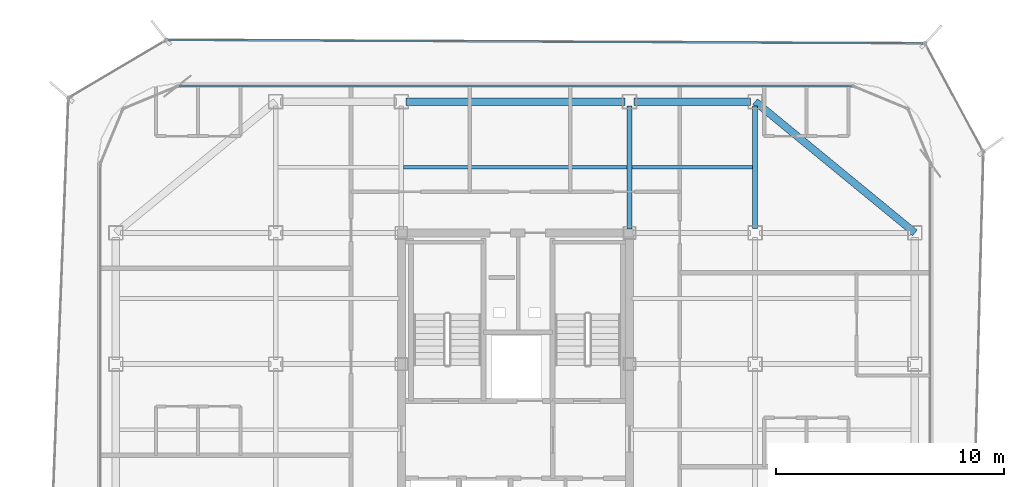
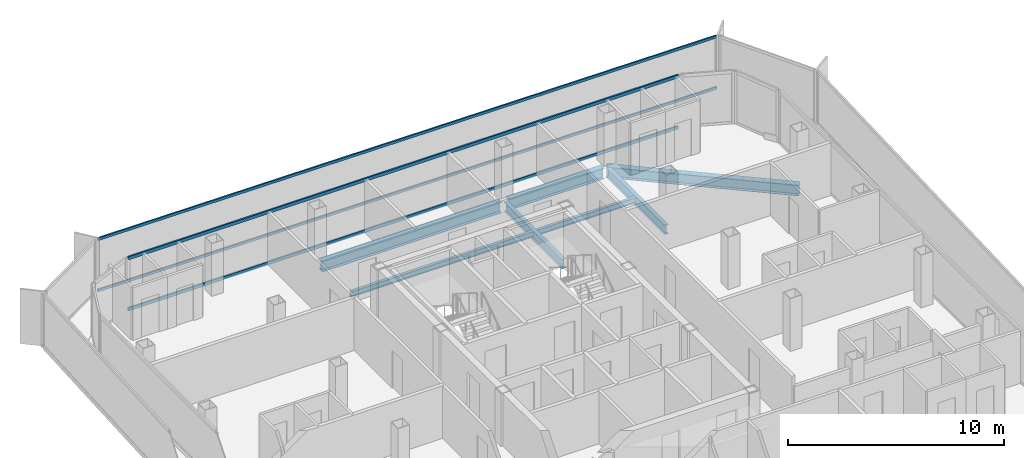
# One storey, part 7 of 16: 7 beams, 4 members, 2 elements without a shape of their own.
"""IFC4 building model written with IfcOpenShell, lengths in metres."""

from ifc_helpers import new_model, si_unit, direction, frame, origin, origin_2d, place, context, subcontext, project, spatial, hollow_rectangle, i_section, extrude, source, transform, mapped, material, layer, layer_set, material_profile, profile_set, type_object, element, aggregate, save


model = new_model("IFC4")

# Units and contexts
model_context = context("Model", 3, precision=1e-05, world=origin(), true_north=direction((0.0, 1.0)))
body_context = subcontext(model_context, "Body", "Model", "MODEL_VIEW")
ifc_project = project(units=[si_unit("LENGTHUNIT", "METRE"), si_unit("AREAUNIT", "SQUARE_METRE"), si_unit("VOLUMEUNIT", "CUBIC_METRE"), si_unit("PLANEANGLEUNIT", "RADIAN"), si_unit("MASSUNIT", "GRAM", prefix="KILO")], contexts=[model_context])

# Site, building, storey
site_placement = place(None, origin())
site = spatial("IfcSite", under=ifc_project, at=site_placement, CompositionType="ELEMENT")
building_placement = place(site_placement, origin())
building = spatial("IfcBuilding", under=site, at=building_placement, Name="Kolveth Station Tower", CompositionType="ELEMENT")
storey_placement = place(building_placement, frame((0.0, 0.0, 236.10009765625)))
storey = spatial("IfcBuildingStorey", under=building, at=storey_placement, Name="L67", CompositionType="ELEMENT", Elevation=236.10009765625)

# Beams
ifc_material_1 = material(Name="Steel S355", Category="steel")
ifc_material_profile_1 = material_profile(ifc_material_1, i_section(OverallWidth=0.323974609375, OverallDepth=0.611083984375, WebThickness=0.0126953125, FlangeThickness=0.01904296875, at=origin_2d()), Name="W610x155")
ifc_profile_set_1 = profile_set([ifc_material_profile_1], Name="Steel S355")
beam_type_1 = type_object("IfcBeamType", Name="Beam_SP2", PredefinedType="SPANDREL", material=ifc_profile_set_1)
shared_shape_1 = source(origin(), body_context, "Body", "SweptSolid", [
    extrude(i_section(OverallWidth=0.323974609375, OverallDepth=0.611083984375, WebThickness=0.0126953125, FlangeThickness=0.01904296875, at=origin_2d()), origin(), (0.0, 0.0, 1.0), 9.058837890625),
])
beam_1_placement = place(storey_placement, frame((41.0, 28.75, -0.525634765625), z_axis=(-0.772726254525, 0.63473942336, 0.0), x_axis=(-0.63473942336, -0.772726254525, 0.0)))
element("IfcBeam", 1, at=beam_1_placement, inside=storey, type_object=beam_type_1, Name="L67 Corner Edge Girder BM-L67-CNR-NE", PredefinedType="SPANDREL", context=body_context, shape_type="MappedRepresentation", body=[
    mapped(shared_shape_1, transform((0.0, 0.0, 0.0), x_axis=(1.0, 0.0, 0.0), y_axis=(0.0, 1.0, 0.0), z_axis=(0.0, 0.0, 1.0), scale=1.0)),
])
shared_shape_2 = source(origin(), body_context, "Body", "SweptSolid", [
    extrude(i_section(OverallWidth=0.323974609375, OverallDepth=0.611083984375, WebThickness=0.0126953125, FlangeThickness=0.01904296875, at=origin_2d()), origin(), (0.0, 0.0, 1.0), 5.10009765625),
])
beam_2_placement = place(storey_placement, frame((28.699951171875, 34.5, -0.525634765625), z_axis=(1.0, 0.0, 0.0), x_axis=(0.0, 1.0, 0.0)))
element("IfcBeam", 2, at=beam_2_placement, inside=storey, type_object=beam_type_1, Name="L67 Perimeter Spandrel BM-L67-PN-3", PredefinedType="SPANDREL", context=body_context, shape_type="MappedRepresentation", body=[
    mapped(shared_shape_2, transform((0.0, 0.0, 0.0), x_axis=(1.0, 0.0, 0.0), y_axis=(0.0, 1.0, 0.0), z_axis=(0.0, 0.0, 1.0), scale=1.0)),
])
shared_shape_3 = source(origin(), body_context, "Body", "SweptSolid", [
    extrude(i_section(OverallWidth=0.323974609375, OverallDepth=0.611083984375, WebThickness=0.0126953125, FlangeThickness=0.01904296875, at=origin_2d()), origin(), (0.0, 0.0, 1.0), 9.60009765625),
])
beam_3_placement = place(storey_placement, frame((18.699951171875, 34.5, -0.525634765625), z_axis=(1.0, 0.0, 0.0), x_axis=(0.0, 1.0, 0.0)))
element("IfcBeam", 3, at=beam_3_placement, inside=storey, type_object=beam_type_1, Name="L67 Perimeter Spandrel BM-L67-PN-2", PredefinedType="SPANDREL", context=body_context, shape_type="MappedRepresentation", body=[
    mapped(shared_shape_3, transform((0.0, 0.0, 0.0), x_axis=(1.0, 0.0, 0.0), y_axis=(0.0, 1.0, 0.0), z_axis=(0.0, 0.0, 1.0), scale=1.0)),
])
ifc_material_profile_2 = material_profile(ifc_material_1, i_section(OverallWidth=0.2099609375, OverallDepth=0.537109375, WebThickness=0.010986328125, FlangeThickness=0.017333984375, at=origin_2d()), Name="W530x101")
ifc_profile_set_2 = profile_set([ifc_material_profile_2], Name="Steel S355")
beam_type_2 = type_object("IfcBeamType", Name="Beam_B6", PredefinedType="BEAM", material=ifc_profile_set_2)
shared_shape_4 = source(origin(), body_context, "Body", "SweptSolid", [
    extrude(i_section(OverallWidth=0.2099609375, OverallDepth=0.537109375, WebThickness=0.010986328125, FlangeThickness=0.017333984375, at=origin_2d()), origin(), (0.0, 0.0, 1.0), 5.35009765625),
])
beam_4_placement = place(storey_placement, frame((34.0, 28.949951171875, -0.488525390625), z_axis=(0.0, 1.0, 0.0), x_axis=(-1.0, 0.0, 0.0)))
element("IfcBeam", 4, at=beam_4_placement, inside=storey, type_object=beam_type_2, Name="L67 Primary Girder BM-L67-GX340-6", PredefinedType="BEAM", context=body_context, shape_type="MappedRepresentation", body=[
    mapped(shared_shape_4, transform((0.0, 0.0, 0.0), x_axis=(1.0, 0.0, 0.0), y_axis=(0.0, 1.0, 0.0), z_axis=(0.0, 0.0, 1.0), scale=1.0)),
])
shared_shape_5 = source(origin(), body_context, "Body", "SweptSolid", [
    extrude(i_section(OverallWidth=0.2099609375, OverallDepth=0.537109375, WebThickness=0.010986328125, FlangeThickness=0.017333984375, at=origin_2d()), origin(), (0.0, 0.0, 1.0), 5.39013671875),
])
beam_5_placement = place(storey_placement, frame((28.5, 28.909912109375, -0.488525390625), z_axis=(0.0, 1.0, 0.0), x_axis=(-1.0, 0.0, 0.0)))
element("IfcBeam", 5, at=beam_5_placement, inside=storey, type_object=beam_type_2, Name="L67 Primary Girder BM-L67-GX285-6", PredefinedType="BEAM", context=body_context, shape_type="MappedRepresentation", body=[
    mapped(shared_shape_5, transform((0.0, 0.0, 0.0), x_axis=(1.0, 0.0, 0.0), y_axis=(0.0, 1.0, 0.0), z_axis=(0.0, 0.0, 1.0), scale=1.0)),
])
ifc_material_profile_3 = material_profile(ifc_material_1, i_section(OverallWidth=0.1650390625, OverallDepth=0.31005859375, WebThickness=0.005859375, FlangeThickness=0.009765625, at=origin_2d()), Name="W310x39")
ifc_profile_set_3 = profile_set([ifc_material_profile_3], Name="Steel S355")
beam_type_3 = type_object("IfcBeamType", Name="Beam_J3", PredefinedType="JOIST", material=ifc_profile_set_3)
shared_shape_6 = source(origin(), body_context, "Body", "SweptSolid", [
    extrude(i_section(OverallWidth=0.1650390625, OverallDepth=0.31005859375, WebThickness=0.005859375, FlangeThickness=0.009765625, at=origin_2d()), origin(), (0.0, 0.0, 1.0), 5.2939453125),
])
beam_6_placement = place(storey_placement, frame((28.60302734375, 31.625, -0.375), z_axis=(1.0, 0.0, 0.0), x_axis=(0.0, 1.0, 0.0)))
element("IfcBeam", 6, at=beam_6_placement, inside=storey, type_object=beam_type_3, Name="L67 Secondary Joist JST-L67-4-6", PredefinedType="JOIST", context=body_context, shape_type="MappedRepresentation", body=[
    mapped(shared_shape_6, transform((0.0, 0.0, 0.0), x_axis=(1.0, 0.0, 0.0), y_axis=(0.0, 1.0, 0.0), z_axis=(0.0, 0.0, 1.0), scale=1.0)),
])
shared_shape_7 = source(origin(), body_context, "Body", "SweptSolid", [
    extrude(i_section(OverallWidth=0.1650390625, OverallDepth=0.31005859375, WebThickness=0.005859375, FlangeThickness=0.009765625, at=origin_2d()), origin(), (0.0, 0.0, 1.0), 9.7939453125),
])
beam_7_placement = place(storey_placement, frame((18.60302734375, 31.625, -0.375), z_axis=(1.0, 0.0, 0.0), x_axis=(0.0, 1.0, 0.0)))
element("IfcBeam", 7, at=beam_7_placement, inside=storey, type_object=beam_type_3, Name="L67 Secondary Joist JST-L67-3-6", PredefinedType="JOIST", context=body_context, shape_type="MappedRepresentation", body=[
    mapped(shared_shape_7, transform((0.0, 0.0, 0.0), x_axis=(1.0, 0.0, 0.0), y_axis=(0.0, 1.0, 0.0), z_axis=(0.0, 0.0, 1.0), scale=1.0)),
])

# Curtain wall, members
ifc_material_2 = material(Name="Aluminium 6063-T6 and triple low-E dark glass", Category="aluminium")
ifc_layer_1 = layer(ifc_material_2, 0.199951171875)
ifc_layer_set_1 = layer_set([ifc_layer_1], Name="Aluminium 6063-T6 and triple low-E dark glass")
curtain_wall_type_1 = type_object("IfcCurtainWallType", Name="CurtainWall_CW-Z3", PredefinedType="NOTDEFINED", material=ifc_layer_set_1)
curtain_wall_1_placement = place(storey_placement, origin())
curtain_wall_1 = element("IfcCurtainWall", 8, at=curtain_wall_1_placement, inside=storey, type_object=curtain_wall_type_1, Name="L67 Inner Thermal Curtain Wall 6", PredefinedType="NOTDEFINED")
ifc_material_3 = material(Name="Black anodized aluminium 6063-T6", Category="aluminium")
ifc_material_profile_4 = material_profile(ifc_material_3, hollow_rectangle(XDim=0.0849609375, YDim=0.179931640625, WallThickness=0.0048828125, at=origin_2d()), Name="ALU-85x180x5")
ifc_profile_set_4 = profile_set([ifc_material_profile_4], Name="Black anodized aluminium 6063-T6")
member_type_1 = type_object("IfcMemberType", Name="Transom_TR3", PredefinedType="USERDEFINED", material=ifc_profile_set_4)
shared_shape_8 = source(origin(), body_context, "Body", "SweptSolid", [
    extrude(hollow_rectangle(XDim=0.0849609375, YDim=0.179931640625, WallThickness=0.0048828125, at=origin_2d()), origin(), (0.0, 0.0, 1.0), 29.43017578125),
])
member_1_placement = place(storey_placement, frame((38.215087890625, 35.179931640625, 0.04248046875), z_axis=(-1.0, 0.0, 0.0), x_axis=(0.0, -1.0, 0.0)))
member_1 = element("IfcMember", 9, at=member_1_placement, type_object=member_type_1, Name="CW-Z3 transom 1.1", ObjectType="TRANSOM", PredefinedType="USERDEFINED", context=body_context, shape_type="MappedRepresentation", body=[
    mapped(shared_shape_8, transform((0.0, 0.0, 0.0), x_axis=(1.0, 0.0, 0.0), y_axis=(0.0, 1.0, 0.0), z_axis=(0.0, 0.0, 1.0), scale=1.0)),
])
member_2_placement = place(storey_placement, frame((38.215087890625, 35.179931640625, 2.9375), z_axis=(-1.0, 0.0, 0.0), x_axis=(0.0, -1.0, 0.0)))
member_2 = element("IfcMember", 10, at=member_2_placement, type_object=member_type_1, Name="CW-Z3 transom 1.2", ObjectType="TRANSOM", PredefinedType="USERDEFINED", context=body_context, shape_type="MappedRepresentation", body=[
    mapped(shared_shape_8, transform((0.0, 0.0, 0.0), x_axis=(1.0, 0.0, 0.0), y_axis=(0.0, 1.0, 0.0), z_axis=(0.0, 0.0, 1.0), scale=1.0)),
])
aggregate(curtain_wall_1, [member_1, member_2])

ifc_material_4 = material(Name="Black anodized aluminium 6063-T6 and dark solar glass", Category="aluminium")
ifc_layer_2 = layer(ifc_material_4, 0.159912109375)
ifc_layer_set_2 = layer_set([ifc_layer_2], Name="Black anodized aluminium 6063-T6 and dark solar glass")
curtain_wall_type_2 = type_object("IfcCurtainWallType", Name="OUTER SKIN CW-OS", PredefinedType="NOTDEFINED", material=ifc_layer_set_2)
curtain_wall_2_placement = place(storey_placement, origin())
curtain_wall_2 = element("IfcCurtainWall", 11, at=curtain_wall_2_placement, inside=storey, type_object=curtain_wall_type_2, Name="L67 Outer Ventilated Skin Curtain Wall 4", PredefinedType="NOTDEFINED")
ifc_material_profile_5 = material_profile(ifc_material_3, hollow_rectangle(XDim=0.080078125, YDim=0.14990234375, WallThickness=0.0048828125, at=origin_2d()), Name="ALU-80x150x5")
ifc_profile_set_5 = profile_set([ifc_material_profile_5], Name="Black anodized aluminium 6063-T6")
member_type_2 = type_object("IfcMemberType", Name="Transom_TR-OS", PredefinedType="USERDEFINED", material=ifc_profile_set_5)
shared_shape_9 = source(origin(), body_context, "Body", "SweptSolid", [
    extrude(hollow_rectangle(XDim=0.080078125, YDim=0.14990234375, WallThickness=0.0048828125, at=origin_2d()), origin(), (0.0, 0.0, 1.0), 33.046142578125),
])
member_3_placement = place(storey_placement, frame((41.355224609375, 37.04931640625, 0.039794921875), z_axis=(-0.999989577182, 0.00456569017, 0.0), x_axis=(-0.00456569017, -0.999989577182, 0.0)))
member_3 = element("IfcMember", 12, at=member_3_placement, type_object=member_type_2, Name="CW-OS transom 1.1", ObjectType="TRANSOM", PredefinedType="USERDEFINED", context=body_context, shape_type="MappedRepresentation", body=[
    mapped(shared_shape_9, transform((0.0, 0.0, 0.0), x_axis=(1.0, 0.0, 0.0), y_axis=(0.0, 1.0, 0.0), z_axis=(0.0, 0.0, 1.0), scale=1.0)),
])
member_4_placement = place(storey_placement, frame((41.355224609375, 37.04931640625, 2.949951171875), z_axis=(-0.999989577182, 0.00456569017, 0.0), x_axis=(-0.00456569017, -0.999989577182, 0.0)))
member_4 = element("IfcMember", 13, at=member_4_placement, type_object=member_type_2, Name="CW-OS transom 1.2", ObjectType="TRANSOM", PredefinedType="USERDEFINED", context=body_context, shape_type="MappedRepresentation", body=[
    mapped(shared_shape_9, transform((0.0, 0.0, 0.0), x_axis=(1.0, 0.0, 0.0), y_axis=(0.0, 1.0, 0.0), z_axis=(0.0, 0.0, 1.0), scale=1.0)),
])
aggregate(curtain_wall_2, [member_3, member_4])

save(model, "model.ifc")
